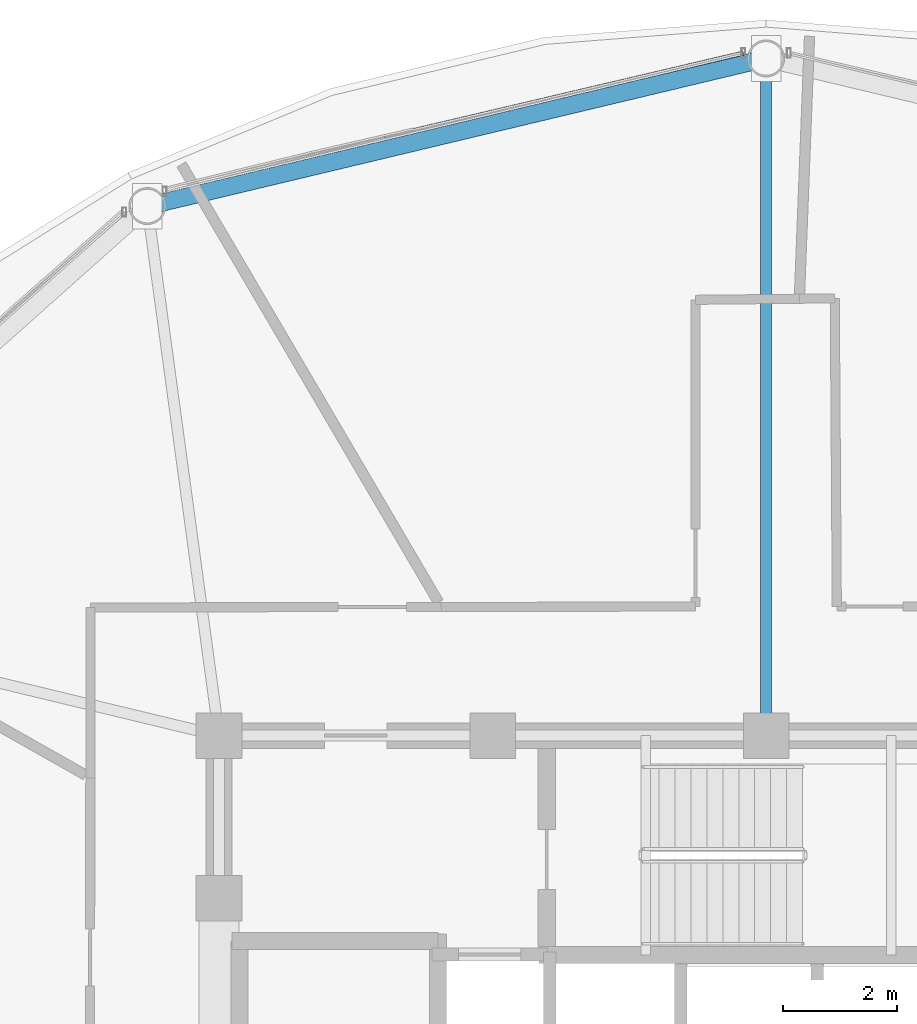
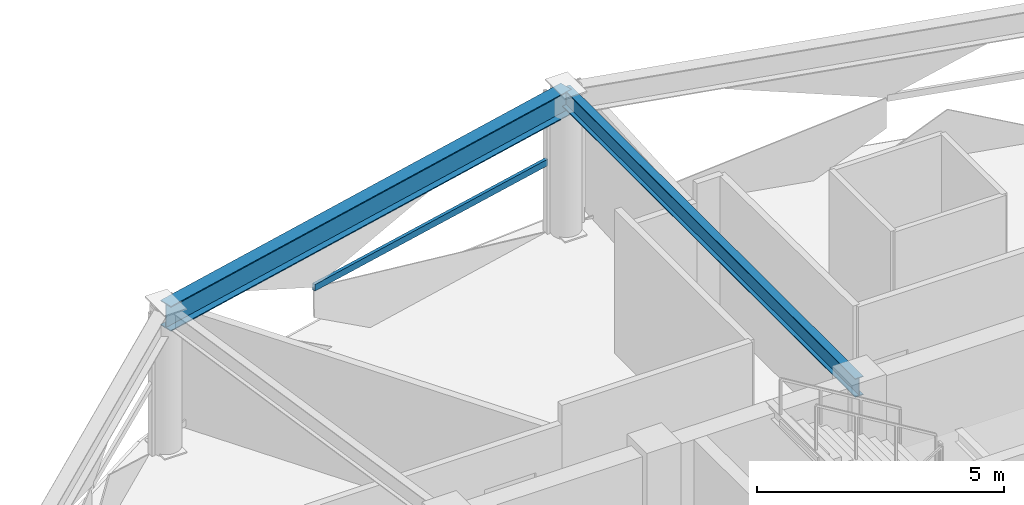
# One storey, part 17 of 28: 2 beams, 1 member, 1 element without a shape of its own.
"""IFC4 building model written with IfcOpenShell, lengths in metres."""

from ifc_helpers import new_model, si_unit, direction, frame, origin, origin_2d, place, context, subcontext, project, spatial, hollow_rectangle, i_section, extrude, material, layer, layer_set, material_profile, profile_set, type_object, element, aggregate, save


model = new_model("IFC4")

# Units and contexts
model_context = context("Model", 3, precision=1e-05, world=origin(), true_north=direction((0.0, 1.0)))
body_context = subcontext(model_context, "Body", "Model", "MODEL_VIEW")
ifc_project = project(units=[si_unit("LENGTHUNIT", "METRE"), si_unit("AREAUNIT", "SQUARE_METRE"), si_unit("VOLUMEUNIT", "CUBIC_METRE"), si_unit("PLANEANGLEUNIT", "RADIAN"), si_unit("MASSUNIT", "GRAM", prefix="KILO")], contexts=[model_context])

# Site, building, storey
site_placement = place(None, origin())
site = spatial("IfcSite", under=ifc_project, at=site_placement, CompositionType="ELEMENT")
building_placement = place(site_placement, origin())
building = spatial("IfcBuilding", under=site, at=building_placement, Name="Vantalir Tower", CompositionType="ELEMENT")
storey_placement = place(building_placement, frame((0.0, 0.0, 238.64990234375)))
storey = spatial("IfcBuildingStorey", under=building, at=storey_placement, Name="L60", CompositionType="ELEMENT", Elevation=238.64990234375)

# Beams
ifc_material_1 = material(Name="Steel S355", Category="steel")
ifc_material_profile_1 = material_profile(ifc_material_1, i_section(OverallWidth=0.19189453125, OverallDepth=0.462890625, WebThickness=0.010498046875, FlangeThickness=0.017578125, at=origin_2d()), Name="Steel S355")
ifc_profile_set_1 = profile_set([ifc_material_profile_1], Name="Steel S355")
beam_type_1 = type_object("IfcBeamType", Name="BM-RB-457x191", PredefinedType="BEAM", material=ifc_profile_set_1)
beam_1_placement = place(storey_placement, frame((31.5, 44.3330078125, 3.338134765625), z_axis=(0.0, -1.0, 0.0), x_axis=(1.0, 0.0, 0.0)))
element("IfcBeam", 1, at=beam_1_placement, inside=storey, type_object=beam_type_1, Name="L60 Radial Floor Beam 04", PredefinedType="BEAM", context=body_context, shape_type="SweptSolid", body=[
    extrude(i_section(OverallWidth=0.19189453125, OverallDepth=0.462890625, WebThickness=0.010498046875, FlangeThickness=0.017578125, at=origin_2d()), origin(), (0.0, 0.0, 1.0), 11.883056640625),
])
ifc_material_2 = material(Name="Steel S460", Category="steel")
ifc_material_profile_2 = material_profile(ifc_material_2, i_section(OverallWidth=0.306884765625, OverallDepth=0.6201171875, WebThickness=0.01416015625, FlangeThickness=0.023681640625, at=origin_2d()), Name="Steel S460")
ifc_profile_set_2 = profile_set([ifc_material_profile_2], Name="Steel S460")
beam_type_2 = type_object("IfcBeamType", Name="BM-RG-610x305", PredefinedType="USERDEFINED", material=ifc_profile_set_2)
beam_2_placement = place(storey_placement, frame((31.5, 44.3330078125, 3.260009765625), z_axis=(-0.97271250926, -0.23201373737, 0.0), x_axis=(0.23201373737, -0.97271250926, 0.0)))
element("IfcBeam", 2, at=beam_2_placement, inside=storey, type_object=beam_type_2, Name="L60 Circumferential Ring Girder 04", ObjectType="GIRDER", PredefinedType="USERDEFINED", context=body_context, shape_type="SweptSolid", body=[
    extrude(i_section(OverallWidth=0.306884765625, OverallDepth=0.6201171875, WebThickness=0.01416015625, FlangeThickness=0.023681640625, at=origin_2d()), origin(), (0.0, 0.0, 1.0), 11.16357421875),
])

# Curtain wall, member
ifc_material_3 = material(Name="Champagne-silver PVDF aluminium and double-silver Low-E glass", Category="aluminium")
ifc_layer = layer(ifc_material_3, 0.2099609375)
ifc_layer_set = layer_set([ifc_layer], Name="Champagne-silver PVDF aluminium and double-silver Low-E glass")
curtain_wall_type = type_object("IfcCurtainWallType", Name="CW-DIAMOND-Z3", PredefinedType="USERDEFINED", material=ifc_layer_set)
curtain_wall_placement = place(storey_placement, origin())
curtain_wall = element("IfcCurtainWall", 3, at=curtain_wall_placement, inside=storey, type_object=curtain_wall_type, Name="L60 Quilted Pyramid-Diamond Curtain Wall S04", ObjectType="UNITISED CURTAIN WALL", PredefinedType="USERDEFINED")
ifc_material_4 = material(Name="Champagne-silver PVDF aluminium 6063-T6", Category="aluminium")
ifc_material_profile_3 = material_profile(ifc_material_4, hollow_rectangle(XDim=0.074951171875, YDim=0.159912109375, WallThickness=0.00390625, at=origin_2d()), Name="Champagne-silver PVDF aluminium 6063-T6")
ifc_profile_set_3 = profile_set([ifc_material_profile_3], Name="Champagne-silver PVDF aluminium 6063-T6")
member_type = type_object("IfcMemberType", Name="CWT-160x75", PredefinedType="USERDEFINED", material=ifc_profile_set_3)
member_placement = place(storey_placement, frame((31.10107421875, 44.427978515625, 1.78515625), z_axis=(-0.973473493808, -0.2287998183, 0.0), x_axis=(0.2287998183, -0.973473493808, 0.0)))
member = element("IfcMember", 4, at=member_placement, type_object=member_type, Name="CW-L60-S04 Pyramid Fold Ridge Transom", ObjectType="TRANSOM", PredefinedType="USERDEFINED", context=body_context, shape_type="SweptSolid", body=[
    extrude(hollow_rectangle(XDim=0.074951171875, YDim=0.159912109375, WallThickness=0.00390625, at=origin_2d()), origin(), (0.0, 0.0, 1.0), 6.47705078125),
])
aggregate(curtain_wall, [member])

save(model, "model.ifc")
